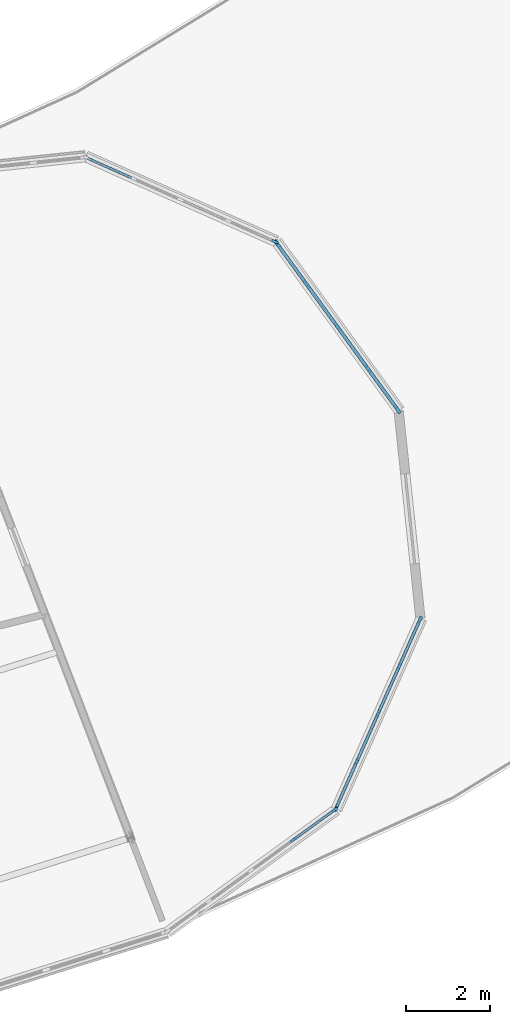
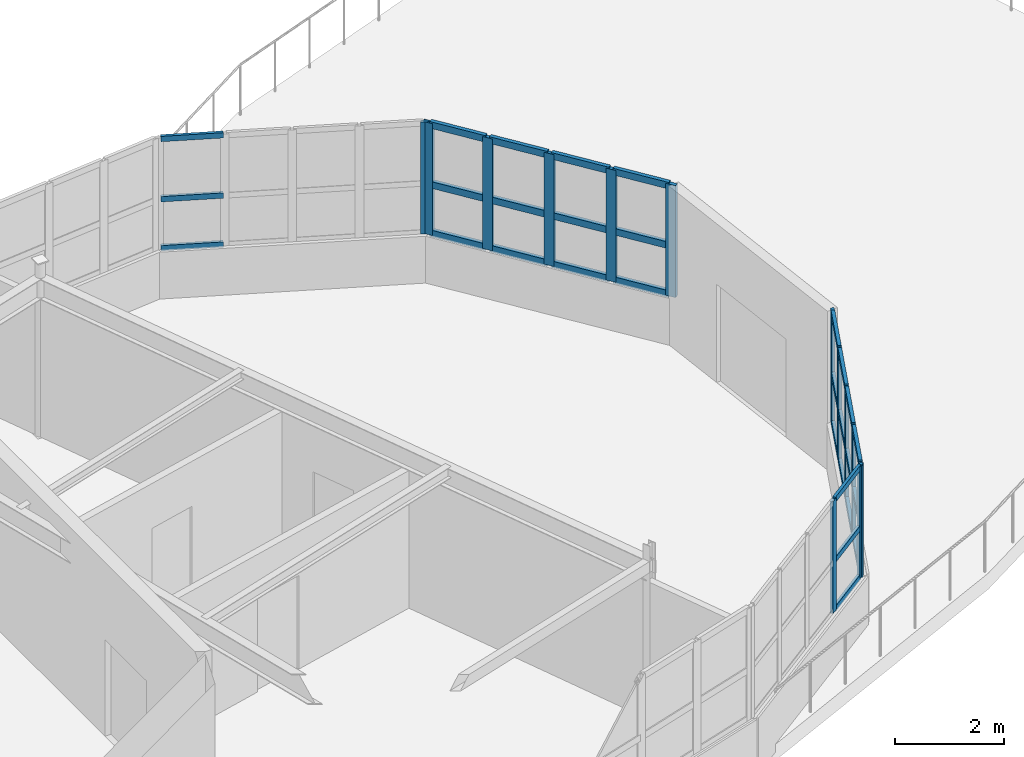
# One storey, part 23 of 65: 43 members, 4 elements without a shape of their own.
"""IFC4 building model written with IfcOpenShell, lengths in metres."""

from ifc_helpers import new_model, si_unit, direction, frame, origin, origin_2d, place, context, subcontext, project, spatial, rectangle, extrude, material, layer, layer_set, material_profile, profile_set, type_object, element, aggregate, save


model = new_model("IFC4")

# Units and contexts
model_context = context("Model", 3, precision=1e-05, world=origin(), true_north=direction((0.0, 1.0)))
body_context = subcontext(model_context, "Body", "Model", "MODEL_VIEW")
ifc_project = project(units=[si_unit("LENGTHUNIT", "METRE"), si_unit("AREAUNIT", "SQUARE_METRE"), si_unit("VOLUMEUNIT", "CUBIC_METRE"), si_unit("PLANEANGLEUNIT", "RADIAN"), si_unit("MASSUNIT", "GRAM", prefix="KILO")], contexts=[model_context])

# Site, building, storey
site_placement = place(None, origin())
site = spatial("IfcSite", under=ifc_project, at=site_placement, CompositionType="ELEMENT")
building_placement = place(site_placement, origin())
building = spatial("IfcBuilding", under=site, at=building_placement, Name="Tarnwether General Hospital", CompositionType="ELEMENT")
storey_placement = place(building_placement, frame((0.0, 0.0, 22.199951171875)))
storey = spatial("IfcBuildingStorey", under=building, at=storey_placement, Name="L05", CompositionType="ELEMENT", Elevation=22.199951171875)

# Curtain wall, members
ifc_material_1 = material(Name="Anodised aluminium", Category="aluminium")
ifc_layer = layer(ifc_material_1, 0.159912109375)
ifc_layer_set = layer_set([ifc_layer], Name="Anodised aluminium")
curtain_wall_type = type_object("IfcCurtainWallType", Name="CW-04", PredefinedType="NOTDEFINED", material=ifc_layer_set)
curtain_wall_1_placement = place(storey_placement, origin())
curtain_wall_1 = element("IfcCurtainWall", 1, at=curtain_wall_1_placement, inside=storey, type_object=curtain_wall_type, Name="Curtain Wall CWG-L05-1181_84-0226", PredefinedType="NOTDEFINED")
ifc_material_2 = material(Name="Anodised aluminium", Category="aluminium")
ifc_material_profile_1 = material_profile(ifc_material_2, rectangle(XDim=0.06005859375, YDim=0.159912109375, at=origin_2d()), Name="ALU-MUL-60x160")
ifc_profile_set_1 = profile_set([ifc_material_profile_1], Name="Anodised aluminium")
member_type_1 = type_object("IfcMemberType", Name="CW-ML1", PredefinedType="MULLION", material=ifc_profile_set_1)
member_1_placement = place(storey_placement, frame((118.07177734375, 8.394287109375, 1.050048828125), z_axis=(0.0, 0.0, 1.0), x_axis=(0.587728951677, -0.809057896173, 0.0)))
member_1 = element("IfcMember", 2, at=member_1_placement, type_object=member_type_1, Name="CW-04 mullion 1", PredefinedType="MULLION", context=body_context, shape_type="SweptSolid", body=[
    extrude(rectangle(XDim=0.06005859375, YDim=0.159912109375, at=origin_2d()), origin(), (0.0, 0.0, 1.0), 2.510009765625),
])
member_2_placement = place(storey_placement, frame((117.0908203125, 7.681640625, 1.050048828125), z_axis=(0.0, 0.0, 1.0), x_axis=(0.587728951677, -0.809057896173, 0.0)))
member_2 = element("IfcMember", 3, at=member_2_placement, type_object=member_type_1, Name="CW-04 mullion 2", PredefinedType="MULLION", context=body_context, shape_type="SweptSolid", body=[
    extrude(rectangle(XDim=0.06005859375, YDim=0.159912109375, at=origin_2d()), origin(), (0.0, 0.0, 1.0), 2.510009765625),
])

# Curtain wall, member
curtain_wall_2_placement = place(storey_placement, origin())
curtain_wall_2 = element("IfcCurtainWall", 4, at=curtain_wall_2_placement, inside=storey, type_object=curtain_wall_type, Name="Curtain Wall CWG-L05-1121_239-0229", PredefinedType="NOTDEFINED")
member_3_placement = place(storey_placement, frame((116.649658203125, 21.92626953125, 1.050048828125), z_axis=(0.0, 0.0, 1.0), x_axis=(0.406847766484, 0.913495974215, 0.0)))
member_3 = element("IfcMember", 5, at=member_3_placement, type_object=member_type_1, Name="CW-04 mullion 5", PredefinedType="MULLION", context=body_context, shape_type="SweptSolid", body=[
    extrude(rectangle(XDim=0.06005859375, YDim=0.159912109375, at=origin_2d()), origin(), (0.0, 0.0, 1.0), 2.510009765625),
])

# Curtain wall, members
curtain_wall_3_placement = place(storey_placement, origin())
curtain_wall_3 = element("IfcCurtainWall", 6, at=curtain_wall_3_placement, inside=storey, type_object=curtain_wall_type, Name="Curtain Wall CWG-L05-1201_130-0227", PredefinedType="NOTDEFINED")
ifc_material_3 = material(Name="Anodised aluminium", Category="aluminium")
ifc_material_profile_2 = material_profile(ifc_material_3, rectangle(XDim=0.070068359375, YDim=0.179931640625, at=origin_2d()), Name="ALU-MUL-70x180")
ifc_profile_set_2 = profile_set([ifc_material_profile_2], Name="Anodised aluminium")
member_type_2 = type_object("IfcMemberType", Name="CW-ML2", PredefinedType="MULLION", material=ifc_profile_set_2)
member_4_placement = place(storey_placement, frame((120.102783203125, 12.919921875, 1.050048828125), z_axis=(0.0, 0.0, 1.0), x_axis=(0.913570745572, -0.406679840705, 0.0)))
member_4 = element("IfcMember", 7, at=member_4_placement, type_object=member_type_2, Name="CW-04 mullion 1", PredefinedType="MULLION", context=body_context, shape_type="SweptSolid", body=[
    extrude(rectangle(XDim=0.070068359375, YDim=0.179931640625, at=origin_2d()), origin(), (0.0, 0.0, 1.0), 2.510009765625),
])
member_5_placement = place(storey_placement, frame((119.61181640625, 11.81689453125, 1.050048828125), z_axis=(0.0, 0.0, 1.0), x_axis=(0.913570745572, -0.406679840705, 0.0)))
member_5 = element("IfcMember", 8, at=member_5_placement, type_object=member_type_2, Name="CW-04 mullion 2", PredefinedType="MULLION", context=body_context, shape_type="SweptSolid", body=[
    extrude(rectangle(XDim=0.070068359375, YDim=0.179931640625, at=origin_2d()), origin(), (0.0, 0.0, 1.0), 2.510009765625),
])
member_6_placement = place(storey_placement, frame((119.1064453125, 10.681884765625, 1.050048828125), z_axis=(0.0, 0.0, 1.0), x_axis=(0.913570745572, -0.406679840705, 0.0)))
member_6 = element("IfcMember", 9, at=member_6_placement, type_object=member_type_2, Name="CW-04 mullion 3", PredefinedType="MULLION", context=body_context, shape_type="SweptSolid", body=[
    extrude(rectangle(XDim=0.070068359375, YDim=0.179931640625, at=origin_2d()), origin(), (0.0, 0.0, 1.0), 2.510009765625),
])
member_7_placement = place(storey_placement, frame((118.601318359375, 9.547119140625, 1.050048828125), z_axis=(0.0, 0.0, 1.0), x_axis=(0.913570745572, -0.406679840705, 0.0)))
member_7 = element("IfcMember", 10, at=member_7_placement, type_object=member_type_2, Name="CW-04 mullion 4", PredefinedType="MULLION", context=body_context, shape_type="SweptSolid", body=[
    extrude(rectangle(XDim=0.070068359375, YDim=0.179931640625, at=origin_2d()), origin(), (0.0, 0.0, 1.0), 2.510009765625),
])
member_8_placement = place(storey_placement, frame((118.1103515625, 8.444091796875, 1.050048828125), z_axis=(0.0, 0.0, 1.0), x_axis=(0.913570745572, -0.406679840705, 0.0)))
member_8 = element("IfcMember", 11, at=member_8_placement, type_object=member_type_2, Name="CW-04 mullion 5", PredefinedType="MULLION", context=body_context, shape_type="SweptSolid", body=[
    extrude(rectangle(XDim=0.070068359375, YDim=0.179931640625, at=origin_2d()), origin(), (0.0, 0.0, 1.0), 2.510009765625),
])

curtain_wall_4_placement = place(storey_placement, origin())
curtain_wall_4 = element("IfcCurtainWall", 12, at=curtain_wall_4_placement, inside=storey, type_object=curtain_wall_type, Name="Curtain Wall CWG-L05-1167_219-0228", PredefinedType="NOTDEFINED")
ifc_material_4 = material(Name="Anodised aluminium", Category="aluminium")
ifc_material_profile_3 = material_profile(ifc_material_4, rectangle(XDim=0.080078125, YDim=0.199951171875, at=origin_2d()), Name="ALU-MUL-80x200")
ifc_profile_set_3 = profile_set([ifc_material_profile_3], Name="Anodised aluminium")
member_type_3 = type_object("IfcMemberType", Name="CW-ML4", PredefinedType="MULLION", material=ifc_profile_set_3)
member_9_placement = place(storey_placement, frame((116.700439453125, 21.881591796875, 1.050048828125), z_axis=(0.0, 0.0, 1.0), x_axis=(0.808988376814, 0.587824638969, 0.0)))
member_9 = element("IfcMember", 13, at=member_9_placement, type_object=member_type_3, Name="CW-04 mullion 1", PredefinedType="MULLION", context=body_context, shape_type="SweptSolid", body=[
    extrude(rectangle(XDim=0.080078125, YDim=0.199951171875, at=origin_2d()), origin(), (0.0, 0.0, 1.0), 2.510009765625),
])
member_10_placement = place(storey_placement, frame((117.4072265625, 20.908935546875, 1.050048828125), z_axis=(0.0, 0.0, 1.0), x_axis=(0.808988376814, 0.587824638969, 0.0)))
member_10 = element("IfcMember", 14, at=member_10_placement, type_object=member_type_3, Name="CW-04 mullion 2", PredefinedType="MULLION", context=body_context, shape_type="SweptSolid", body=[
    extrude(rectangle(XDim=0.080078125, YDim=0.199951171875, at=origin_2d()), origin(), (0.0, 0.0, 1.0), 2.510009765625),
])
member_11_placement = place(storey_placement, frame((118.137451171875, 19.904052734375, 1.050048828125), z_axis=(0.0, 0.0, 1.0), x_axis=(0.808988376814, 0.587824638969, 0.0)))
member_11 = element("IfcMember", 15, at=member_11_placement, type_object=member_type_3, Name="CW-04 mullion 3", PredefinedType="MULLION", context=body_context, shape_type="SweptSolid", body=[
    extrude(rectangle(XDim=0.080078125, YDim=0.199951171875, at=origin_2d()), origin(), (0.0, 0.0, 1.0), 2.510009765625),
])
member_12_placement = place(storey_placement, frame((118.86767578125, 18.89892578125, 1.050048828125), z_axis=(0.0, 0.0, 1.0), x_axis=(0.808988376814, 0.587824638969, 0.0)))
member_12 = element("IfcMember", 16, at=member_12_placement, type_object=member_type_3, Name="CW-04 mullion 4", PredefinedType="MULLION", context=body_context, shape_type="SweptSolid", body=[
    extrude(rectangle(XDim=0.080078125, YDim=0.199951171875, at=origin_2d()), origin(), (0.0, 0.0, 1.0), 2.510009765625),
])
member_13_placement = place(storey_placement, frame((119.574462890625, 17.92626953125, 1.050048828125), z_axis=(0.0, 0.0, 1.0), x_axis=(0.808988376814, 0.587824638969, 0.0)))
member_13 = element("IfcMember", 17, at=member_13_placement, type_object=member_type_3, Name="CW-04 mullion 5", PredefinedType="MULLION", context=body_context, shape_type="SweptSolid", body=[
    extrude(rectangle(XDim=0.080078125, YDim=0.199951171875, at=origin_2d()), origin(), (0.0, 0.0, 1.0), 2.510009765625),
])

# Member
ifc_material_5 = material(Name="Anodised aluminium", Category="aluminium")
ifc_material_profile_4 = material_profile(ifc_material_5, rectangle(XDim=0.06005859375, YDim=0.1201171875, at=origin_2d()), Name="ALU-TRN-60x120")
ifc_profile_set_4 = profile_set([ifc_material_profile_4], Name="Anodised aluminium")
member_type_4 = type_object("IfcMemberType", Name="CW-TR1", PredefinedType="USERDEFINED", material=ifc_profile_set_4)
member_14_placement = place(storey_placement, frame((118.04736328125, 8.376708984375, 1.080078125), z_axis=(-0.809084076166, -0.587692911046, 0.0), x_axis=(0.587692911046, -0.809084076166, 0.0)))
member_14 = element("IfcMember", 18, at=member_14_placement, type_object=member_type_4, Name="CW-04 transom 1.1", ObjectType="TRANSOM", PredefinedType="USERDEFINED", context=body_context, shape_type="SweptSolid", body=[
    extrude(rectangle(XDim=0.06005859375, YDim=0.1201171875, at=origin_2d()), origin(), (0.0, 0.0, 1.0), 1.15234375),
])

member_15_placement = place(storey_placement, frame((118.04736328125, 8.376708984375, 2.179443359375), z_axis=(-0.809084076166, -0.587692911046, 0.0), x_axis=(0.587692911046, -0.809084076166, 0.0)))
member_15 = element("IfcMember", 19, at=member_15_placement, type_object=member_type_4, Name="CW-04 transom 1.2", ObjectType="TRANSOM", PredefinedType="USERDEFINED", context=body_context, shape_type="SweptSolid", body=[
    extrude(rectangle(XDim=0.06005859375, YDim=0.1201171875, at=origin_2d()), origin(), (0.0, 0.0, 1.0), 1.15234375),
])

member_16_placement = place(storey_placement, frame((118.04736328125, 8.376708984375, 3.530029296875), z_axis=(-0.809084076166, -0.587692911046, 0.0), x_axis=(0.587692911046, -0.809084076166, 0.0)))
member_16 = element("IfcMember", 20, at=member_16_placement, type_object=member_type_4, Name="CW-04 transom 1.3", ObjectType="TRANSOM", PredefinedType="USERDEFINED", context=body_context, shape_type="SweptSolid", body=[
    extrude(rectangle(XDim=0.06005859375, YDim=0.1201171875, at=origin_2d()), origin(), (0.0, 0.0, 1.0), 1.15234375),
])

aggregate(curtain_wall_1, [member_1, member_2, member_14, member_15, member_16])

member_17_placement = place(storey_placement, frame((112.19189453125, 23.91162109375, 1.080078125), z_axis=(0.913453031223, -0.406944172769, 0.0), x_axis=(0.406944172769, 0.913453031223, 0.0)))
member_17 = element("IfcMember", 21, at=member_17_placement, type_object=member_type_4, Name="CW-04 transom 1.1", ObjectType="TRANSOM", PredefinedType="USERDEFINED", context=body_context, shape_type="SweptSolid", body=[
    extrude(rectangle(XDim=0.06005859375, YDim=0.1201171875, at=origin_2d()), origin(), (0.0, 0.0, 1.0), 1.152587890625),
])

member_18_placement = place(storey_placement, frame((112.19189453125, 23.91162109375, 2.179443359375), z_axis=(0.913453031223, -0.406944172769, 0.0), x_axis=(0.406944172769, 0.913453031223, 0.0)))
member_18 = element("IfcMember", 22, at=member_18_placement, type_object=member_type_4, Name="CW-04 transom 1.2", ObjectType="TRANSOM", PredefinedType="USERDEFINED", context=body_context, shape_type="SweptSolid", body=[
    extrude(rectangle(XDim=0.06005859375, YDim=0.1201171875, at=origin_2d()), origin(), (0.0, 0.0, 1.0), 1.152587890625),
])

member_19_placement = place(storey_placement, frame((112.19189453125, 23.91162109375, 3.530029296875), z_axis=(0.913453031223, -0.406944172769, 0.0), x_axis=(0.406944172769, 0.913453031223, 0.0)))
member_19 = element("IfcMember", 23, at=member_19_placement, type_object=member_type_4, Name="CW-04 transom 1.3", ObjectType="TRANSOM", PredefinedType="USERDEFINED", context=body_context, shape_type="SweptSolid", body=[
    extrude(rectangle(XDim=0.06005859375, YDim=0.1201171875, at=origin_2d()), origin(), (0.0, 0.0, 1.0), 1.152587890625),
])

aggregate(curtain_wall_2, [member_3, member_17, member_18, member_19])

ifc_material_6 = material(Name="Anodised aluminium", Category="aluminium")
ifc_material_profile_5 = material_profile(ifc_material_6, rectangle(XDim=0.070068359375, YDim=0.139892578125, at=origin_2d()), Name="ALU-TRN-70x140")
ifc_profile_set_5 = profile_set([ifc_material_profile_5], Name="Anodised aluminium")
member_type_5 = type_object("IfcMemberType", Name="CW-TR2", PredefinedType="USERDEFINED", material=ifc_profile_set_5)
member_20_placement = place(storey_placement, frame((120.088623046875, 12.887939453125, 1.0849609375), z_axis=(-0.406755759629, -0.913536946165, 0.0), x_axis=(0.913536946165, -0.406755759629, 0.0)))
member_20 = element("IfcMember", 24, at=member_20_placement, type_object=member_type_5, Name="CW-04 transom 1.1", ObjectType="TRANSOM", PredefinedType="USERDEFINED", context=body_context, shape_type="SweptSolid", body=[
    extrude(rectangle(XDim=0.070068359375, YDim=0.139892578125, at=origin_2d()), origin(), (0.0, 0.0, 1.0), 1.137451171875),
])

member_21_placement = place(storey_placement, frame((120.088623046875, 12.887939453125, 2.179443359375), z_axis=(-0.406755759629, -0.913536946165, 0.0), x_axis=(0.913536946165, -0.406755759629, 0.0)))
member_21 = element("IfcMember", 25, at=member_21_placement, type_object=member_type_5, Name="CW-04 transom 1.2", ObjectType="TRANSOM", PredefinedType="USERDEFINED", context=body_context, shape_type="SweptSolid", body=[
    extrude(rectangle(XDim=0.070068359375, YDim=0.139892578125, at=origin_2d()), origin(), (0.0, 0.0, 1.0), 1.137451171875),
])

member_22_placement = place(storey_placement, frame((120.088623046875, 12.887939453125, 3.525146484375), z_axis=(-0.406755759629, -0.913536946165, 0.0), x_axis=(0.913536946165, -0.406755759629, 0.0)))
member_22 = element("IfcMember", 26, at=member_22_placement, type_object=member_type_5, Name="CW-04 transom 1.3", ObjectType="TRANSOM", PredefinedType="USERDEFINED", context=body_context, shape_type="SweptSolid", body=[
    extrude(rectangle(XDim=0.070068359375, YDim=0.139892578125, at=origin_2d()), origin(), (0.0, 0.0, 1.0), 1.137451171875),
])

member_23_placement = place(storey_placement, frame((119.597412109375, 11.784912109375, 1.0849609375), z_axis=(-0.406524892894, -0.913639705495, 0.0), x_axis=(0.913639705495, -0.406524892894, 0.0)))
member_23 = element("IfcMember", 27, at=member_23_placement, type_object=member_type_5, Name="CW-04 transom 2.1", ObjectType="TRANSOM", PredefinedType="USERDEFINED", context=body_context, shape_type="SweptSolid", body=[
    extrude(rectangle(XDim=0.070068359375, YDim=0.139892578125, at=origin_2d()), origin(), (0.0, 0.0, 1.0), 1.17236328125),
])

member_24_placement = place(storey_placement, frame((119.597412109375, 11.784912109375, 2.179443359375), z_axis=(-0.406524892894, -0.913639705495, 0.0), x_axis=(0.913639705495, -0.406524892894, 0.0)))
member_24 = element("IfcMember", 28, at=member_24_placement, type_object=member_type_5, Name="CW-04 transom 2.2", ObjectType="TRANSOM", PredefinedType="USERDEFINED", context=body_context, shape_type="SweptSolid", body=[
    extrude(rectangle(XDim=0.070068359375, YDim=0.139892578125, at=origin_2d()), origin(), (0.0, 0.0, 1.0), 1.17236328125),
])

member_25_placement = place(storey_placement, frame((119.597412109375, 11.784912109375, 3.525146484375), z_axis=(-0.406524892894, -0.913639705495, 0.0), x_axis=(0.913639705495, -0.406524892894, 0.0)))
member_25 = element("IfcMember", 29, at=member_25_placement, type_object=member_type_5, Name="CW-04 transom 2.3", ObjectType="TRANSOM", PredefinedType="USERDEFINED", context=body_context, shape_type="SweptSolid", body=[
    extrude(rectangle(XDim=0.070068359375, YDim=0.139892578125, at=origin_2d()), origin(), (0.0, 0.0, 1.0), 1.17236328125),
])

member_26_placement = place(storey_placement, frame((119.09228515625, 10.650146484375, 1.0849609375), z_axis=(-0.406621355502, -0.913596778261, 0.0), x_axis=(0.913596778261, -0.406621355502, 0.0)))
member_26 = element("IfcMember", 30, at=member_26_placement, type_object=member_type_5, Name="CW-04 transom 3.1", ObjectType="TRANSOM", PredefinedType="USERDEFINED", context=body_context, shape_type="SweptSolid", body=[
    extrude(rectangle(XDim=0.070068359375, YDim=0.139892578125, at=origin_2d()), origin(), (0.0, 0.0, 1.0), 1.172607421875),
])

member_27_placement = place(storey_placement, frame((119.09228515625, 10.650146484375, 2.179443359375), z_axis=(-0.406621355502, -0.913596778261, 0.0), x_axis=(0.913596778261, -0.406621355502, 0.0)))
member_27 = element("IfcMember", 31, at=member_27_placement, type_object=member_type_5, Name="CW-04 transom 3.2", ObjectType="TRANSOM", PredefinedType="USERDEFINED", context=body_context, shape_type="SweptSolid", body=[
    extrude(rectangle(XDim=0.070068359375, YDim=0.139892578125, at=origin_2d()), origin(), (0.0, 0.0, 1.0), 1.172607421875),
])

member_28_placement = place(storey_placement, frame((119.09228515625, 10.650146484375, 3.525146484375), z_axis=(-0.406621355502, -0.913596778261, 0.0), x_axis=(0.913596778261, -0.406621355502, 0.0)))
member_28 = element("IfcMember", 32, at=member_28_placement, type_object=member_type_5, Name="CW-04 transom 3.3", ObjectType="TRANSOM", PredefinedType="USERDEFINED", context=body_context, shape_type="SweptSolid", body=[
    extrude(rectangle(XDim=0.070068359375, YDim=0.139892578125, at=origin_2d()), origin(), (0.0, 0.0, 1.0), 1.172607421875),
])

member_29_placement = place(storey_placement, frame((118.5869140625, 9.51513671875, 1.0849609375), z_axis=(-0.406496878153, -0.913652170168, 0.0), x_axis=(0.913652170168, -0.406496878153, 0.0)))
member_29 = element("IfcMember", 33, at=member_29_placement, type_object=member_type_5, Name="CW-04 transom 4.1", ObjectType="TRANSOM", PredefinedType="USERDEFINED", context=body_context, shape_type="SweptSolid", body=[
    extrude(rectangle(XDim=0.070068359375, YDim=0.139892578125, at=origin_2d()), origin(), (0.0, 0.0, 1.0), 1.137451171875),
])

member_30_placement = place(storey_placement, frame((118.5869140625, 9.51513671875, 2.179443359375), z_axis=(-0.406496878153, -0.913652170168, 0.0), x_axis=(0.913652170168, -0.406496878153, 0.0)))
member_30 = element("IfcMember", 34, at=member_30_placement, type_object=member_type_5, Name="CW-04 transom 4.2", ObjectType="TRANSOM", PredefinedType="USERDEFINED", context=body_context, shape_type="SweptSolid", body=[
    extrude(rectangle(XDim=0.070068359375, YDim=0.139892578125, at=origin_2d()), origin(), (0.0, 0.0, 1.0), 1.137451171875),
])

member_31_placement = place(storey_placement, frame((118.5869140625, 9.51513671875, 3.525146484375), z_axis=(-0.406496878153, -0.913652170168, 0.0), x_axis=(0.913652170168, -0.406496878153, 0.0)))
member_31 = element("IfcMember", 35, at=member_31_placement, type_object=member_type_5, Name="CW-04 transom 4.3", ObjectType="TRANSOM", PredefinedType="USERDEFINED", context=body_context, shape_type="SweptSolid", body=[
    extrude(rectangle(XDim=0.070068359375, YDim=0.139892578125, at=origin_2d()), origin(), (0.0, 0.0, 1.0), 1.137451171875),
])

aggregate(curtain_wall_3, [member_4, member_5, member_6, member_7, member_8, member_20, member_21, member_22, member_23, member_24, member_25, member_26, member_27, member_28, member_29, member_30, member_31])

ifc_material_7 = material(Name="Anodised aluminium", Category="aluminium")
ifc_material_profile_6 = material_profile(ifc_material_7, rectangle(XDim=0.080078125, YDim=0.14990234375, at=origin_2d()), Name="ALU-TRN-80x150")
ifc_profile_set_6 = profile_set([ifc_material_profile_6], Name="Anodised aluminium")
member_type_6 = type_object("IfcMemberType", Name="CW-TR4", PredefinedType="USERDEFINED", material=ifc_profile_set_6)
member_32_placement = place(storey_placement, frame((116.72412109375, 21.849365234375, 1.090087890625), z_axis=(0.587783591911, -0.80901820071, 0.0), x_axis=(0.80901820071, 0.587783591911, 0.0)))
member_32 = element("IfcMember", 36, at=member_32_placement, type_object=member_type_6, Name="CW-04 transom 1.1", ObjectType="TRANSOM", PredefinedType="USERDEFINED", context=body_context, shape_type="SweptSolid", body=[
    extrude(rectangle(XDim=0.080078125, YDim=0.14990234375, at=origin_2d()), origin(), (0.0, 0.0, 1.0), 1.122314453125),
])

member_33_placement = place(storey_placement, frame((116.72412109375, 21.849365234375, 2.179443359375), z_axis=(0.587783591911, -0.80901820071, 0.0), x_axis=(0.80901820071, 0.587783591911, 0.0)))
member_33 = element("IfcMember", 37, at=member_33_placement, type_object=member_type_6, Name="CW-04 transom 1.2", ObjectType="TRANSOM", PredefinedType="USERDEFINED", context=body_context, shape_type="SweptSolid", body=[
    extrude(rectangle(XDim=0.080078125, YDim=0.14990234375, at=origin_2d()), origin(), (0.0, 0.0, 1.0), 1.122314453125),
])

member_34_placement = place(storey_placement, frame((116.72412109375, 21.849365234375, 3.52001953125), z_axis=(0.587783591911, -0.80901820071, 0.0), x_axis=(0.80901820071, 0.587783591911, 0.0)))
member_34 = element("IfcMember", 38, at=member_34_placement, type_object=member_type_6, Name="CW-04 transom 1.3", ObjectType="TRANSOM", PredefinedType="USERDEFINED", context=body_context, shape_type="SweptSolid", body=[
    extrude(rectangle(XDim=0.080078125, YDim=0.14990234375, at=origin_2d()), origin(), (0.0, 0.0, 1.0), 1.122314453125),
])

member_35_placement = place(storey_placement, frame((117.4306640625, 20.876708984375, 1.090087890625), z_axis=(0.587834485911, -0.808981221768, 0.0), x_axis=(0.808981221768, 0.587834485911, 0.0)))
member_35 = element("IfcMember", 39, at=member_35_placement, type_object=member_type_6, Name="CW-04 transom 2.1", ObjectType="TRANSOM", PredefinedType="USERDEFINED", context=body_context, shape_type="SweptSolid", body=[
    extrude(rectangle(XDim=0.080078125, YDim=0.14990234375, at=origin_2d()), origin(), (0.0, 0.0, 1.0), 1.16259765625),
])

member_36_placement = place(storey_placement, frame((117.4306640625, 20.876708984375, 2.179443359375), z_axis=(0.587834485911, -0.808981221768, 0.0), x_axis=(0.808981221768, 0.587834485911, 0.0)))
member_36 = element("IfcMember", 40, at=member_36_placement, type_object=member_type_6, Name="CW-04 transom 2.2", ObjectType="TRANSOM", PredefinedType="USERDEFINED", context=body_context, shape_type="SweptSolid", body=[
    extrude(rectangle(XDim=0.080078125, YDim=0.14990234375, at=origin_2d()), origin(), (0.0, 0.0, 1.0), 1.16259765625),
])

member_37_placement = place(storey_placement, frame((117.4306640625, 20.876708984375, 3.52001953125), z_axis=(0.587834485911, -0.808981221768, 0.0), x_axis=(0.808981221768, 0.587834485911, 0.0)))
member_37 = element("IfcMember", 41, at=member_37_placement, type_object=member_type_6, Name="CW-04 transom 2.3", ObjectType="TRANSOM", PredefinedType="USERDEFINED", context=body_context, shape_type="SweptSolid", body=[
    extrude(rectangle(XDim=0.080078125, YDim=0.14990234375, at=origin_2d()), origin(), (0.0, 0.0, 1.0), 1.16259765625),
])

member_38_placement = place(storey_placement, frame((118.1611328125, 19.87158203125, 1.090087890625), z_axis=(0.587796901661, -0.809008530485, 0.0), x_axis=(0.809008530485, 0.587796901661, 0.0)))
member_38 = element("IfcMember", 42, at=member_38_placement, type_object=member_type_6, Name="CW-04 transom 3.1", ObjectType="TRANSOM", PredefinedType="USERDEFINED", context=body_context, shape_type="SweptSolid", body=[
    extrude(rectangle(XDim=0.080078125, YDim=0.14990234375, at=origin_2d()), origin(), (0.0, 0.0, 1.0), 1.162109375),
])

member_39_placement = place(storey_placement, frame((118.1611328125, 19.87158203125, 2.179443359375), z_axis=(0.587796901661, -0.809008530485, 0.0), x_axis=(0.809008530485, 0.587796901661, 0.0)))
member_39 = element("IfcMember", 43, at=member_39_placement, type_object=member_type_6, Name="CW-04 transom 3.2", ObjectType="TRANSOM", PredefinedType="USERDEFINED", context=body_context, shape_type="SweptSolid", body=[
    extrude(rectangle(XDim=0.080078125, YDim=0.14990234375, at=origin_2d()), origin(), (0.0, 0.0, 1.0), 1.162109375),
])

member_40_placement = place(storey_placement, frame((118.1611328125, 19.87158203125, 3.52001953125), z_axis=(0.587796901661, -0.809008530485, 0.0), x_axis=(0.809008530485, 0.587796901661, 0.0)))
member_40 = element("IfcMember", 44, at=member_40_placement, type_object=member_type_6, Name="CW-04 transom 3.3", ObjectType="TRANSOM", PredefinedType="USERDEFINED", context=body_context, shape_type="SweptSolid", body=[
    extrude(rectangle(XDim=0.080078125, YDim=0.14990234375, at=origin_2d()), origin(), (0.0, 0.0, 1.0), 1.162109375),
])

member_41_placement = place(storey_placement, frame((118.891357421875, 18.86669921875, 1.090087890625), z_axis=(0.587783591911, -0.80901820071, 0.0), x_axis=(0.80901820071, 0.587783591911, 0.0)))
member_41 = element("IfcMember", 45, at=member_41_placement, type_object=member_type_6, Name="CW-04 transom 4.1", ObjectType="TRANSOM", PredefinedType="USERDEFINED", context=body_context, shape_type="SweptSolid", body=[
    extrude(rectangle(XDim=0.080078125, YDim=0.14990234375, at=origin_2d()), origin(), (0.0, 0.0, 1.0), 1.122314453125),
])

member_42_placement = place(storey_placement, frame((118.891357421875, 18.86669921875, 2.179443359375), z_axis=(0.587783591911, -0.80901820071, 0.0), x_axis=(0.80901820071, 0.587783591911, 0.0)))
member_42 = element("IfcMember", 46, at=member_42_placement, type_object=member_type_6, Name="CW-04 transom 4.2", ObjectType="TRANSOM", PredefinedType="USERDEFINED", context=body_context, shape_type="SweptSolid", body=[
    extrude(rectangle(XDim=0.080078125, YDim=0.14990234375, at=origin_2d()), origin(), (0.0, 0.0, 1.0), 1.122314453125),
])

member_43_placement = place(storey_placement, frame((118.891357421875, 18.86669921875, 3.52001953125), z_axis=(0.587783591911, -0.80901820071, 0.0), x_axis=(0.80901820071, 0.587783591911, 0.0)))
member_43 = element("IfcMember", 47, at=member_43_placement, type_object=member_type_6, Name="CW-04 transom 4.3", ObjectType="TRANSOM", PredefinedType="USERDEFINED", context=body_context, shape_type="SweptSolid", body=[
    extrude(rectangle(XDim=0.080078125, YDim=0.14990234375, at=origin_2d()), origin(), (0.0, 0.0, 1.0), 1.122314453125),
])

aggregate(curtain_wall_4, [member_9, member_10, member_11, member_12, member_13, member_32, member_33, member_34, member_35, member_36, member_37, member_38, member_39, member_40, member_41, member_42, member_43])

save(model, "model.ifc")
